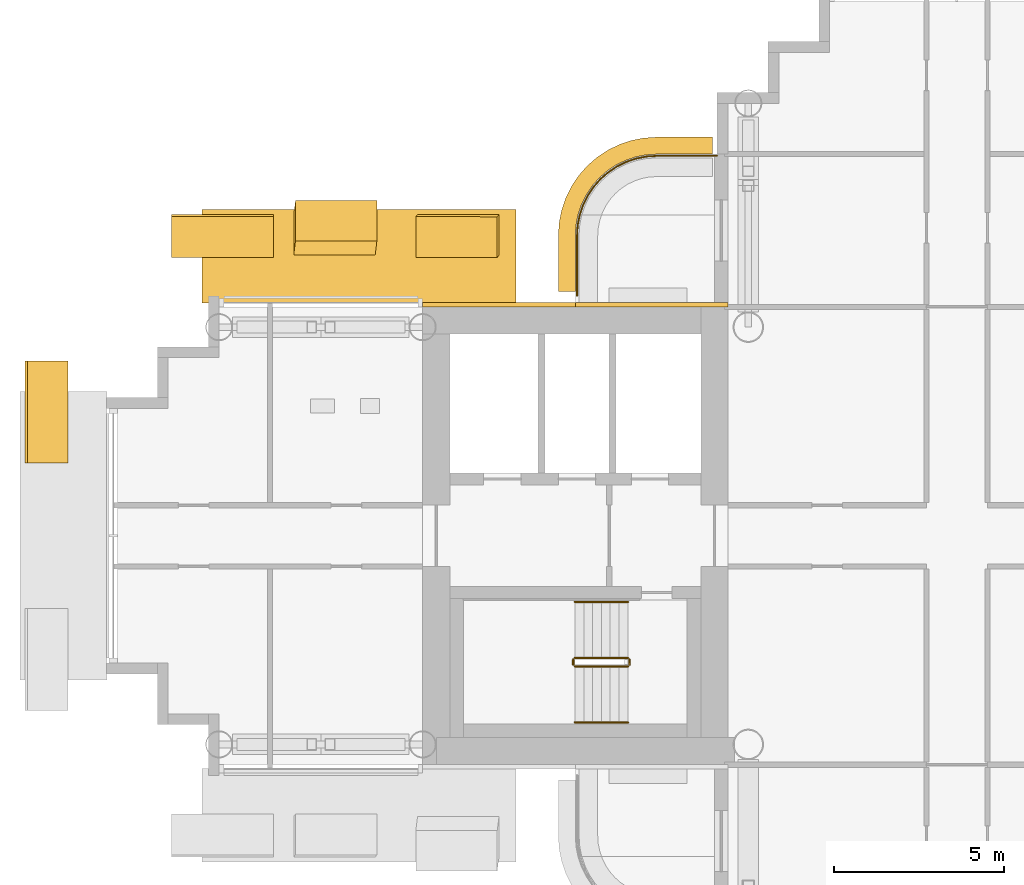
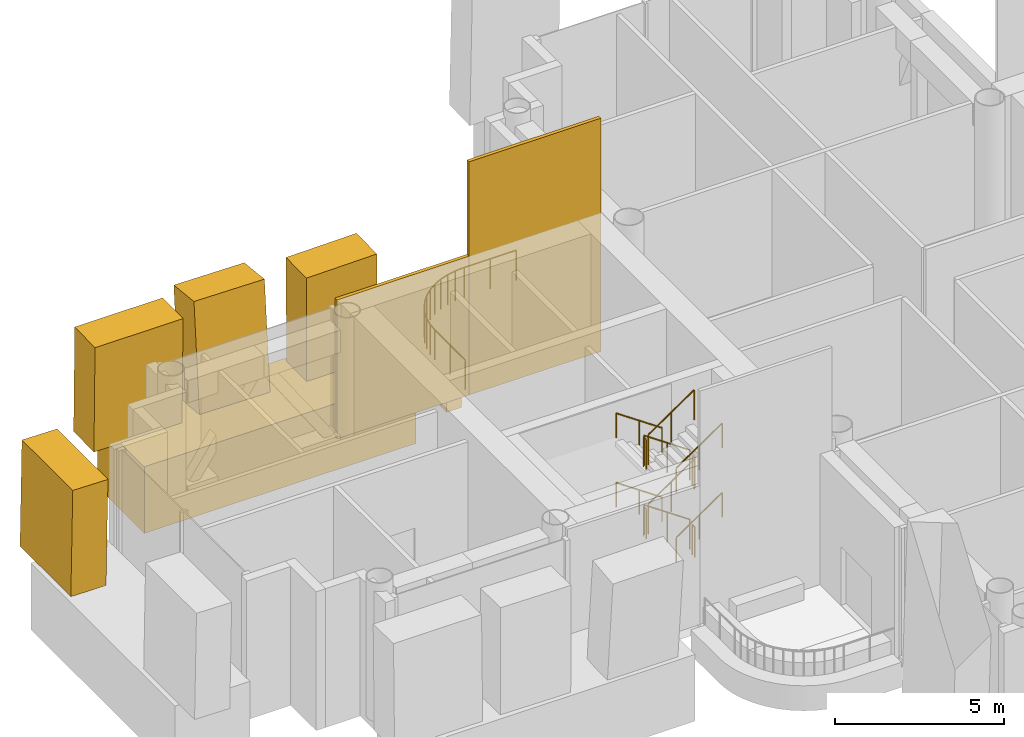
# One storey, part 27 of 34: 13 railings, 8 coverings.
"""IFC4 building model written with IfcOpenShell, lengths in metres."""

from ifc_helpers import new_model, si_unit, direction, frame, origin, origin_2d, place, context, subcontext, project, spatial, polyline, rectangle, circle, outline, extrude, material, layer, layer_set, material_profile, profile_set, type_object, element, save


model = new_model("IFC4")

# Units and contexts
model_context = context("Model", 3, precision=1e-05, world=origin(), true_north=direction((0.0, 1.0)))
body_context = subcontext(model_context, "Body", "Model", "MODEL_VIEW")
ifc_project = project(units=[si_unit("LENGTHUNIT", "METRE"), si_unit("AREAUNIT", "SQUARE_METRE"), si_unit("VOLUMEUNIT", "CUBIC_METRE"), si_unit("PLANEANGLEUNIT", "RADIAN"), si_unit("MASSUNIT", "GRAM", prefix="KILO")], contexts=[model_context])

# Site, building, storey
site_placement = place(None, origin())
site = spatial("IfcSite", under=ifc_project, at=site_placement, CompositionType="ELEMENT")
building_placement = place(site_placement, origin())
building = spatial("IfcBuilding", under=site, at=building_placement, Name="Ipe Terrace Towers", CompositionType="ELEMENT")
storey_placement = place(building_placement, frame((0.0, 0.0, 128.699951171875)))
storey = spatial("IfcBuildingStorey", under=building, at=storey_placement, Name="L35", CompositionType="ELEMENT", Elevation=128.699951171875)

# Railing
ifc_material_1 = material(Name="Stainless steel S316", Category="steel")
railing_type_1 = type_object("IfcRailingType", Name="GUARD 1100", PredefinedType="BALUSTRADE", material=ifc_material_1)
railing_1_placement = place(storey_placement, frame((-43.070068359375, 11.199951171875, -0.02001953125)))
element("IfcRailing", 1, at=railing_1_placement, inside=storey, type_object=railing_type_1, Name="guard", PredefinedType="BALUSTRADE", context=body_context, shape_type="SweptSolid", body=[
    extrude(circle(Radius=0.02392578125, at=origin_2d()), frame((0.0, 0.0, 1.076171875), z_axis=(-1.0, 0.0, 0.0), x_axis=(0.0, -1.0, 0.0)), (0.0, 0.0, 1.0), 1.77783203125),
    extrude(circle(Radius=0.02392578125, at=origin_2d()), frame((-1.77783203125, 0.0, 1.076171875), z_axis=(-0.99790894031, -0.064635492184, 0.0), x_axis=(0.064635492184, -0.99790894031, 0.0)), (0.0, 0.0, 1.0), 0.309814453125),
    extrude(circle(Radius=0.02392578125, at=origin_2d()), frame((-2.0869140625, -0.02001953125, 1.076171875), z_axis=(-0.980824674538, -0.194892169718, 0.0), x_axis=(0.194892169718, -0.980824674538, 0.0)), (0.0, 0.0, 1.0), 0.306884765625),
    extrude(circle(Radius=0.02392578125, at=origin_2d()), frame((-2.387939453125, -0.079833984375, 1.076171875), z_axis=(-0.946598348228, -0.322415209212, 0.0), x_axis=(0.322415209212, -0.946598348228, 0.0)), (0.0, 0.0, 1.0), 0.307373046875),
    extrude(circle(Radius=0.02392578125, at=origin_2d()), frame((-2.678955078125, -0.178955078125, 1.076171875), z_axis=(-0.896952807524, -0.44212629539, 0.0), x_axis=(0.44212629539, -0.896952807524, 0.0)), (0.0, 0.0, 1.0), 0.3076171875),
    extrude(circle(Radius=0.02392578125, at=origin_2d()), frame((-2.954833984375, -0.31494140625, 1.076171875), z_axis=(-0.831806228742, -0.555066120228, 0.0), x_axis=(0.555066120228, -0.831806228742, 0.0)), (0.0, 0.0, 1.0), 0.307861328125),
    extrude(circle(Radius=0.02392578125, at=origin_2d()), frame((-3.2109375, -0.48583984375, 1.076171875), z_axis=(-0.752478137252, -0.658617227954, 0.0), x_axis=(0.658617227954, -0.752478137252, 0.0)), (0.0, 0.0, 1.0), 0.306884765625),
    extrude(circle(Radius=0.02392578125, at=origin_2d()), frame((-3.44189453125, -0.68798828125, 1.076171875), z_axis=(-0.658617227954, -0.752478137252, 0.0), x_axis=(0.752478137252, -0.658617227954, 0.0)), (0.0, 0.0, 1.0), 0.306884765625),
    extrude(circle(Radius=0.02392578125, at=origin_2d()), frame((-3.64404296875, -0.9189453125, 1.076171875), z_axis=(-0.555066120228, -0.831806228742, 0.0), x_axis=(0.831806228742, -0.555066120228, 0.0)), (0.0, 0.0, 1.0), 0.307861328125),
    extrude(circle(Radius=0.02392578125, at=origin_2d()), frame((-3.81494140625, -1.175048828125, 1.076171875), z_axis=(-0.44212629539, -0.896952807524, 0.0), x_axis=(0.896952807524, -0.44212629539, 0.0)), (0.0, 0.0, 1.0), 0.3076171875),
    extrude(circle(Radius=0.02392578125, at=origin_2d()), frame((-3.950927734375, -1.450927734375, 1.076171875), z_axis=(-0.322415209212, -0.946598348228, 0.0), x_axis=(0.946598348228, -0.322415209212, 0.0)), (0.0, 0.0, 1.0), 0.307373046875),
    extrude(circle(Radius=0.02392578125, at=origin_2d()), frame((-4.050048828125, -1.741943359375, 1.076171875), z_axis=(-0.194892169718, -0.980824674538, 0.0), x_axis=(0.980824674538, -0.194892169718, 0.0)), (0.0, 0.0, 1.0), 0.306884765625),
    extrude(circle(Radius=0.02392578125, at=origin_2d()), frame((-4.10986328125, -2.04296875, 1.076171875), z_axis=(-0.064635492184, -0.99790894031, 0.0), x_axis=(0.99790894031, -0.064635492184, 0.0)), (0.0, 0.0, 1.0), 0.309814453125),
    extrude(circle(Radius=0.02392578125, at=origin_2d()), frame((-4.1298828125, -2.35205078125, 1.076171875), z_axis=(0.0, -1.0, 0.0), x_axis=(1.0, 0.0, 0.0)), (0.0, 0.0, 1.0), 1.77783203125),
    extrude(circle(Radius=0.02099609375, at=origin_2d()), origin(), (0.0, 0.0, 1.0), 1.052001953125),
    extrude(circle(Radius=0.02099609375, at=origin_2d()), frame((-0.888916015625, 0.0, 0.0)), (0.0, 0.0, 1.0), 1.052001953125),
    extrude(circle(Radius=0.02099609375, at=origin_2d()), frame((-1.77783203125, 0.0, 0.0)), (0.0, 0.0, 1.0), 1.052001953125),
    extrude(circle(Radius=0.02099609375, at=origin_2d()), frame((-2.0869140625, -0.02001953125, 0.0)), (0.0, 0.0, 1.0), 1.052001953125),
    extrude(circle(Radius=0.02099609375, at=origin_2d()), frame((-2.387939453125, -0.079833984375, 0.0)), (0.0, 0.0, 1.0), 1.052001953125),
    extrude(circle(Radius=0.02099609375, at=origin_2d()), frame((-2.678955078125, -0.178955078125, 0.0)), (0.0, 0.0, 1.0), 1.052001953125),
    extrude(circle(Radius=0.02099609375, at=origin_2d()), frame((-2.954833984375, -0.31494140625, 0.0)), (0.0, 0.0, 1.0), 1.052001953125),
    extrude(circle(Radius=0.02099609375, at=origin_2d()), frame((-3.2109375, -0.48583984375, 0.0)), (0.0, 0.0, 1.0), 1.052001953125),
    extrude(circle(Radius=0.02099609375, at=origin_2d()), frame((-3.44189453125, -0.68798828125, 0.0)), (0.0, 0.0, 1.0), 1.052001953125),
    extrude(circle(Radius=0.02099609375, at=origin_2d()), frame((-3.64404296875, -0.9189453125, 0.0)), (0.0, 0.0, 1.0), 1.052001953125),
    extrude(circle(Radius=0.02099609375, at=origin_2d()), frame((-3.81494140625, -1.175048828125, 0.0)), (0.0, 0.0, 1.0), 1.052001953125),
    extrude(circle(Radius=0.02099609375, at=origin_2d()), frame((-3.950927734375, -1.450927734375, 0.0)), (0.0, 0.0, 1.0), 1.052001953125),
    extrude(circle(Radius=0.02099609375, at=origin_2d()), frame((-4.050048828125, -1.741943359375, 0.0)), (0.0, 0.0, 1.0), 1.052001953125),
    extrude(circle(Radius=0.02099609375, at=origin_2d()), frame((-4.10986328125, -2.04296875, 0.0)), (0.0, 0.0, 1.0), 1.052001953125),
    extrude(circle(Radius=0.02099609375, at=origin_2d()), frame((-4.1298828125, -2.35205078125, 0.0)), (0.0, 0.0, 1.0), 1.052001953125),
    extrude(circle(Radius=0.02099609375, at=origin_2d()), frame((-4.1298828125, -3.240966796875, 0.0)), (0.0, 0.0, 1.0), 1.052001953125),
    extrude(circle(Radius=0.02099609375, at=origin_2d()), frame((-4.1298828125, -4.1298828125, 0.0)), (0.0, 0.0, 1.0), 1.052001953125),
])

# Coverings
ifc_material_2 = material(Name="Concrete C50/60 precast, buff finish", Category="concrete")
ifc_layer_1 = layer(ifc_material_2, 0.1201171875)
ifc_layer_set_1 = layer_set([ifc_layer_1], Name="STONE CORE CLADDING 120")
covering_type_1 = type_object("IfcCoveringType", Name="STONE CORE CLADDING 120", PredefinedType="CLADDING", material=ifc_layer_set_1)
covering_1_placement = place(storey_placement, frame((-49.5009765625, 6.81005859375, 0.0), z_axis=(0.0, 0.0, 1.0), x_axis=(-1.0, 0.0, 0.0)))
element("IfcCovering", 2, at=covering_1_placement, inside=storey, type_object=covering_type_1, Name="stone core cladding", PredefinedType="CLADDING", context=body_context, shape_type="SweptSolid", body=[
    extrude(rectangle(XDim=4.5009765625, YDim=0.1201171875, at=origin_2d()), origin(), (0.0, 0.0, 1.0), 5.0),
])
covering_2_placement = place(storey_placement, frame((-45.0, 6.81005859375, 0.0), z_axis=(0.0, 0.0, 1.0), x_axis=(-1.0, 0.0, 0.0)))
element("IfcCovering", 3, at=covering_2_placement, inside=storey, type_object=covering_type_1, Name="stone core cladding", PredefinedType="CLADDING", context=body_context, shape_type="SweptSolid", body=[
    extrude(rectangle(XDim=4.5, YDim=0.1201171875, at=origin_2d()), origin(), (0.0, 0.0, 1.0), 8.39990234375),
])
ifc_material_3 = material(Name="Concrete C50/60 precast, buff finish", Category="concrete")
ifc_layer_2 = layer(ifc_material_3, 0.5)
ifc_layer_set_2 = layer_set([ifc_layer_2], Name="STONE EDGE BAND 500 x 900")
covering_type_2 = type_object("IfcCoveringType", Name="STONE EDGE BAND 500 x 900", PredefinedType="CLADDING", material=ifc_layer_set_2)
covering_3_placement = place(storey_placement, frame((0.0, 0.0, -0.719970703125)))
element("IfcCovering", 4, at=covering_3_placement, inside=storey, type_object=covering_type_2, Name="stone edge band", PredefinedType="CLADDING", context=body_context, shape_type="SweptSolid", body=[
    extrude(outline(polyline([(-44.85009765625, 11.75), (-44.883056640625, 11.7490234375), (-45.196044921875, 11.72802734375), (-45.260986328125, 11.719970703125), (-45.569091796875, 11.658935546875), (-45.632080078125, 11.64208984375), (-45.928955078125, 11.541015625), (-45.989990234375, 11.51611328125), (-46.27099609375, 11.376953125), (-46.327880859375, 11.343994140625), (-46.589111328125, 11.169921875), (-46.64111328125, 11.1298828125), (-46.876953125, 10.923095703125), (-46.923095703125, 10.876953125), (-47.1298828125, 10.64111328125), (-47.169921875, 10.589111328125), (-47.343994140625, 10.327880859375), (-47.376953125, 10.27099609375), (-47.51611328125, 9.989990234375), (-47.541015625, 9.928955078125), (-47.64208984375, 9.632080078125), (-47.658935546875, 9.569091796875), (-47.719970703125, 9.260986328125), (-47.72802734375, 9.196044921875), (-47.7490234375, 8.883056640625), (-47.75, 8.85009765625), (-47.75, 7.199951171875), (-47.25, 7.199951171875), (-47.25, 8.85009765625), (-47.22900390625, 9.1630859375), (-47.16796875, 9.470947265625), (-47.06689453125, 9.76806640625), (-46.927978515625, 10.050048828125), (-46.75390625, 10.31103515625), (-46.547119140625, 10.547119140625), (-46.31103515625, 10.75390625), (-46.050048828125, 10.927978515625), (-45.76806640625, 11.06689453125), (-45.470947265625, 11.16796875), (-45.1630859375, 11.22900390625), (-44.85009765625, 11.25), (-43.199951171875, 11.25), (-43.199951171875, 11.75), (-44.85009765625, 11.75)])), origin(), (0.0, 0.0, 1.0), 0.89990234375),
])
ifc_material_4 = material(Name="Concrete C50/60 precast, buff finish", Category="concrete")
ifc_material_profile_1 = material_profile(ifc_material_4, rectangle(XDim=2.39990234375, YDim=1.199951171875, at=origin_2d()), Name="STONE FIN 2400 x 1200")
ifc_profile_set_1 = profile_set([ifc_material_profile_1], Name="Concrete C50/60 precast, buff finish")
covering_type_3 = type_object("IfcCoveringType", Name="STONE FIN 2400 x 1200", PredefinedType="USERDEFINED", material=ifc_profile_set_1)
covering_4_placement = place(storey_placement, frame((-50.699951171875, 8.8701171875, 1.199951171875), z_axis=(-0.013424376915, -0.017149802087, 0.999762807066), x_axis=(-0.999909888992, 0.000230246158, -0.013422402253)))
element("IfcCovering", 5, at=covering_4_placement, inside=storey, type_object=covering_type_3, Name="stone fin", ObjectType="FIN", PredefinedType="USERDEFINED", context=body_context, shape_type="SweptSolid", body=[
    extrude(rectangle(XDim=2.39990234375, YDim=1.199951171875, at=origin_2d()), origin(), (0.0, 0.0, 1.0), 3.801025390625),
])
covering_5_placement = place(storey_placement, frame((-54.35009765625, 8.8701171875, 1.199951171875), z_axis=(0.013346716602, 0.108753389345, 0.993979157459), x_axis=(-0.999910928611, 0.001451629969, 0.013267539881)))
element("IfcCovering", 6, at=covering_5_placement, inside=storey, type_object=covering_type_3, Name="stone fin", ObjectType="FIN", PredefinedType="USERDEFINED", context=body_context, shape_type="SweptSolid", body=[
    extrude(rectangle(XDim=2.39990234375, YDim=1.199951171875, at=origin_2d()), origin(), (0.0, 0.0, 1.0), 3.822998046875),
])
ifc_material_5 = material(Name="Concrete C50/60 precast, buff finish", Category="concrete")
ifc_material_profile_2 = material_profile(ifc_material_5, rectangle(XDim=3.0, YDim=1.199951171875, at=origin_2d()), Name="STONE FIN CORNER 3000 x 1200")
ifc_profile_set_2 = profile_set([ifc_material_profile_2], Name="Concrete C50/60 precast, buff finish")
covering_type_4 = type_object("IfcCoveringType", Name="STONE FIN CORNER 3000 x 1200", PredefinedType="USERDEFINED", material=ifc_profile_set_2)
for number, where, z_axis, x_axis, name in (
    (7, (-57.64990234375, 8.8701171875, 1.199951171875), (0.0, -0.017151347612, 0.999852904819), (-1.0, 0.0, 0.0), "stone fin"),
    (8, (-62.8701171875, 3.64990234375, 1.199951171875), (0.017151347612, 0.0, 0.999852904819), (0.0, -1.0, 0.0), "stone fin"),
):
    element("IfcCovering", number, at=place(storey_placement, frame(where, z_axis=z_axis, x_axis=x_axis)), inside=storey, type_object=covering_type_4, Name=name, ObjectType="FIN", PredefinedType="USERDEFINED", context=body_context, shape_type="SweptSolid", body=[
        extrude(rectangle(XDim=3.0, YDim=1.199951171875, at=origin_2d()), origin(), (0.0, 0.0, 1.0), 3.800537109375),
    ])
ifc_material_6 = material(Name="Concrete C50/60 precast, buff finish", Category="concrete")
ifc_material_profile_3 = material_profile(ifc_material_6, rectangle(XDim=2.760009765625, YDim=2.39990234375, at=origin_2d()), Name="STONE FIN SPANDREL 2760 x 2400")
ifc_profile_set_3 = profile_set([ifc_material_profile_3], Name="Concrete C50/60 precast, buff finish")
covering_type_5 = type_object("IfcCoveringType", Name="STONE FIN SPANDREL 2760 x 2400", PredefinedType="CLADDING", material=ifc_profile_set_3)
covering_6_placement = place(storey_placement, frame((-49.0, 8.239990234375, 0.0), z_axis=(-1.0, 0.0, 0.0), x_axis=(0.0, 1.0, 0.0)))
element("IfcCovering", 9, at=covering_6_placement, inside=storey, type_object=covering_type_5, Name="stone fin spandrel", PredefinedType="CLADDING", context=body_context, shape_type="SweptSolid", body=[
    extrude(rectangle(XDim=2.760009765625, YDim=2.39990234375, at=origin_2d()), origin(), (0.0, 0.0, 1.0), 9.25),
])

# Railings
ifc_material_7 = material(Name="Steel S355", Category="steel")
railing_type_2 = type_object("IfcRailingType", Name="Stair guard 1100", PredefinedType="GUARDRAIL", material=ifc_material_7)
railing_2_placement = place(storey_placement, frame((-45.699951171875, -3.60009765625, 0.1787109375)))
element("IfcRailing", 10, at=railing_2_placement, inside=storey, type_object=railing_type_2, Name="L35 T1-ST2 stair guard 1", PredefinedType="GUARDRAIL", context=body_context, shape_type="SweptSolid", body=[
    extrude(circle(Radius=0.02392578125, at=origin_2d()), frame((0.0, 0.0, 1.076171875), z_axis=(-0.824350458958, 0.0, 0.566079783084), x_axis=(0.0, -1.0, 0.0)), (0.0, 0.0, 1.0), 1.892578125),
    extrude(circle(Radius=0.02099609375, at=origin_2d()), origin(), (0.0, 0.0, 1.0), 1.052001953125),
    extrude(circle(Radius=0.02099609375, at=origin_2d()), frame((-0.780029296875, 0.0, 0.53564453125)), (0.0, 0.0, 1.0), 1.052001953125),
    extrude(circle(Radius=0.02099609375, at=origin_2d()), frame((-1.56005859375, 0.0, 1.0712890625)), (0.0, 0.0, 1.0), 1.052001953125),
])
railing_3_placement = place(storey_placement, frame((-47.31005859375, -3.64990234375, 1.25)))
element("IfcRailing", 11, at=railing_3_placement, inside=storey, type_object=railing_type_2, Name="L35 T1-ST2 stair guard 2", PredefinedType="GUARDRAIL", context=body_context, shape_type="SweptSolid", body=[
    extrude(circle(Radius=0.02392578125, at=origin_2d()), frame((0.0, 0.0, 1.076171875), z_axis=(0.0, -1.0, 0.0), x_axis=(1.0, 0.0, 0.0)), (0.0, 0.0, 1.0), 0.150146484375),
    extrude(circle(Radius=0.02099609375, at=origin_2d()), origin(), (0.0, 0.0, 1.0), 1.052001953125),
    extrude(circle(Radius=0.02099609375, at=origin_2d()), frame((0.0, -0.150146484375, 0.0)), (0.0, 0.0, 1.0), 1.052001953125),
])
railing_4_placement = place(storey_placement, frame((-47.260009765625, -3.85009765625, 1.4287109375)))
element("IfcRailing", 12, at=railing_4_placement, inside=storey, type_object=railing_type_2, Name="L35 T1-ST2 stair guard 3", PredefinedType="GUARDRAIL", context=body_context, shape_type="SweptSolid", body=[
    extrude(circle(Radius=0.02392578125, at=origin_2d()), frame((0.0, 0.0, 1.076171875), z_axis=(0.824350458958, 0.0, 0.566079783084), x_axis=(0.0, 1.0, 0.0)), (0.0, 0.0, 1.0), 1.892578125),
    extrude(circle(Radius=0.02099609375, at=origin_2d()), origin(), (0.0, 0.0, 1.0), 1.052001953125),
    extrude(circle(Radius=0.02099609375, at=origin_2d()), frame((0.780029296875, 0.0, 0.53564453125)), (0.0, 0.0, 1.0), 1.052001953125),
    extrude(circle(Radius=0.02099609375, at=origin_2d()), frame((1.56005859375, 0.0, 1.0712890625)), (0.0, 0.0, 1.0), 1.052001953125),
])
railing_5_placement = place(storey_placement, frame((-45.64990234375, -3.64990234375, 2.5)))
element("IfcRailing", 13, at=railing_5_placement, inside=storey, type_object=railing_type_2, Name="L35 T1-ST2 stair guard 4", PredefinedType="GUARDRAIL", context=body_context, shape_type="SweptSolid", body=[
    extrude(circle(Radius=0.02392578125, at=origin_2d()), frame((0.0, 0.0, 1.076171875), z_axis=(0.0, -1.0, 0.0), x_axis=(1.0, 0.0, 0.0)), (0.0, 0.0, 1.0), 0.150146484375),
    extrude(circle(Radius=0.02099609375, at=origin_2d()), origin(), (0.0, 0.0, 1.0), 1.052001953125),
    extrude(circle(Radius=0.02099609375, at=origin_2d()), frame((0.0, -0.150146484375, 0.0)), (0.0, 0.0, 1.0), 1.052001953125),
])
railing_6_placement = place(storey_placement, frame((-45.699951171875, -3.60009765625, 2.6787109375)))
element("IfcRailing", 14, at=railing_6_placement, inside=storey, type_object=railing_type_2, Name="L35 T1-ST2 stair guard 5", PredefinedType="GUARDRAIL", context=body_context, shape_type="SweptSolid", body=[
    extrude(circle(Radius=0.02392578125, at=origin_2d()), frame((0.0, 0.0, 1.076171875), z_axis=(-0.824350458958, 0.0, 0.566079783084), x_axis=(0.0, -1.0, 0.0)), (0.0, 0.0, 1.0), 1.892578125),
    extrude(circle(Radius=0.02099609375, at=origin_2d()), origin(), (0.0, 0.0, 1.0), 1.052001953125),
    extrude(circle(Radius=0.02099609375, at=origin_2d()), frame((-0.780029296875, 0.0, 0.53564453125)), (0.0, 0.0, 1.0), 1.052001953125),
    extrude(circle(Radius=0.02099609375, at=origin_2d()), frame((-1.56005859375, 0.0, 1.0712890625)), (0.0, 0.0, 1.0), 1.052001953125),
])
railing_7_placement = place(storey_placement, frame((-47.31005859375, -3.64990234375, 3.75)))
element("IfcRailing", 15, at=railing_7_placement, inside=storey, type_object=railing_type_2, Name="L35 T1-ST2 stair guard 6", PredefinedType="GUARDRAIL", context=body_context, shape_type="SweptSolid", body=[
    extrude(circle(Radius=0.02392578125, at=origin_2d()), frame((0.0, 0.0, 1.076171875), z_axis=(0.0, -1.0, 0.0), x_axis=(1.0, 0.0, 0.0)), (0.0, 0.0, 1.0), 0.150146484375),
    extrude(circle(Radius=0.02099609375, at=origin_2d()), origin(), (0.0, 0.0, 1.0), 1.052001953125),
    extrude(circle(Radius=0.02099609375, at=origin_2d()), frame((0.0, -0.150146484375, 0.0)), (0.0, 0.0, 1.0), 1.052001953125),
])
railing_8_placement = place(storey_placement, frame((-47.260009765625, -3.85009765625, 3.9287109375)))
element("IfcRailing", 16, at=railing_8_placement, inside=storey, type_object=railing_type_2, Name="L35 T1-ST2 stair guard 7", PredefinedType="GUARDRAIL", context=body_context, shape_type="SweptSolid", body=[
    extrude(circle(Radius=0.02392578125, at=origin_2d()), frame((0.0, 0.0, 1.076171875), z_axis=(0.824350458958, 0.0, 0.566079783084), x_axis=(0.0, 1.0, 0.0)), (0.0, 0.0, 1.0), 1.892578125),
    extrude(circle(Radius=0.02099609375, at=origin_2d()), origin(), (0.0, 0.0, 1.0), 1.052001953125),
    extrude(circle(Radius=0.02099609375, at=origin_2d()), frame((0.780029296875, 0.0, 0.53564453125)), (0.0, 0.0, 1.0), 1.052001953125),
    extrude(circle(Radius=0.02099609375, at=origin_2d()), frame((1.56005859375, 0.0, 1.0712890625)), (0.0, 0.0, 1.0), 1.052001953125),
])
railing_9_placement = place(storey_placement, frame((-45.64990234375, -3.64990234375, 0.0)))
element("IfcRailing", 17, at=railing_9_placement, inside=storey, type_object=railing_type_2, Name="L35 T1-ST2 stair guard 8", PredefinedType="GUARDRAIL", context=body_context, shape_type="SweptSolid", body=[
    extrude(circle(Radius=0.02392578125, at=origin_2d()), frame((0.0, 0.0, 1.076171875), z_axis=(0.0, -1.0, 0.0), x_axis=(1.0, 0.0, 0.0)), (0.0, 0.0, 1.0), 0.150146484375),
    extrude(circle(Radius=0.02099609375, at=origin_2d()), origin(), (0.0, 0.0, 1.0), 1.052001953125),
    extrude(circle(Radius=0.02099609375, at=origin_2d()), frame((0.0, -0.150146484375, 0.0)), (0.0, 0.0, 1.0), 1.052001953125),
])
ifc_material_8 = material(Name="Stainless steel grade 304", Category="steel")
railing_type_3 = type_object("IfcRailingType", Name="Stair handrail 900", PredefinedType="HANDRAIL", material=ifc_material_8)
railing_10_placement = place(storey_placement, frame((-45.699951171875, -1.949951171875, 0.1787109375)))
element("IfcRailing", 18, at=railing_10_placement, inside=storey, type_object=railing_type_3, Name="L35 T1-ST2 stair handrail 1", PredefinedType="HANDRAIL", context=body_context, shape_type="SweptSolid", body=[
    extrude(circle(Radius=0.02392578125, at=origin_2d()), frame((0.0, 0.0, 0.8759765625), z_axis=(-0.824350458958, 0.0, 0.566079783084), x_axis=(0.0, -1.0, 0.0)), (0.0, 0.0, 1.0), 1.892578125),
    extrude(circle(Radius=0.02099609375, at=origin_2d()), origin(), (0.0, 0.0, 1.0), 0.851806640625),
    extrude(circle(Radius=0.02099609375, at=origin_2d()), frame((-0.780029296875, 0.0, 0.53564453125)), (0.0, 0.0, 1.0), 0.851806640625),
    extrude(circle(Radius=0.02099609375, at=origin_2d()), frame((-1.56005859375, 0.0, 1.0712890625)), (0.0, 0.0, 1.0), 0.851806640625),
])
railing_11_placement = place(storey_placement, frame((-47.260009765625, -5.5, 1.4287109375)))
element("IfcRailing", 19, at=railing_11_placement, inside=storey, type_object=railing_type_3, Name="L35 T1-ST2 stair handrail 2", PredefinedType="HANDRAIL", context=body_context, shape_type="SweptSolid", body=[
    extrude(circle(Radius=0.02392578125, at=origin_2d()), frame((0.0, 0.0, 0.8759765625), z_axis=(0.824350458958, 0.0, 0.566079783084), x_axis=(0.0, 1.0, 0.0)), (0.0, 0.0, 1.0), 1.892578125),
    extrude(circle(Radius=0.02099609375, at=origin_2d()), origin(), (0.0, 0.0, 1.0), 0.851806640625),
    extrude(circle(Radius=0.02099609375, at=origin_2d()), frame((0.780029296875, 0.0, 0.53564453125)), (0.0, 0.0, 1.0), 0.851806640625),
    extrude(circle(Radius=0.02099609375, at=origin_2d()), frame((1.56005859375, 0.0, 1.0712890625)), (0.0, 0.0, 1.0), 0.851806640625),
])
railing_12_placement = place(storey_placement, frame((-45.699951171875, -1.949951171875, 2.6787109375)))
element("IfcRailing", 20, at=railing_12_placement, inside=storey, type_object=railing_type_3, Name="L35 T1-ST2 stair handrail 3", PredefinedType="HANDRAIL", context=body_context, shape_type="SweptSolid", body=[
    extrude(circle(Radius=0.02392578125, at=origin_2d()), frame((0.0, 0.0, 0.8759765625), z_axis=(-0.824350458958, 0.0, 0.566079783084), x_axis=(0.0, -1.0, 0.0)), (0.0, 0.0, 1.0), 1.892578125),
    extrude(circle(Radius=0.02099609375, at=origin_2d()), origin(), (0.0, 0.0, 1.0), 0.851806640625),
    extrude(circle(Radius=0.02099609375, at=origin_2d()), frame((-0.780029296875, 0.0, 0.53564453125)), (0.0, 0.0, 1.0), 0.851806640625),
    extrude(circle(Radius=0.02099609375, at=origin_2d()), frame((-1.56005859375, 0.0, 1.0712890625)), (0.0, 0.0, 1.0), 0.851806640625),
])
railing_13_placement = place(storey_placement, frame((-47.260009765625, -5.5, 3.9287109375)))
element("IfcRailing", 21, at=railing_13_placement, inside=storey, type_object=railing_type_3, Name="L35 T1-ST2 stair handrail 4", PredefinedType="HANDRAIL", context=body_context, shape_type="SweptSolid", body=[
    extrude(circle(Radius=0.02392578125, at=origin_2d()), frame((0.0, 0.0, 0.8759765625), z_axis=(0.824350458958, 0.0, 0.566079783084), x_axis=(0.0, 1.0, 0.0)), (0.0, 0.0, 1.0), 1.892578125),
    extrude(circle(Radius=0.02099609375, at=origin_2d()), origin(), (0.0, 0.0, 1.0), 0.851806640625),
    extrude(circle(Radius=0.02099609375, at=origin_2d()), frame((0.780029296875, 0.0, 0.53564453125)), (0.0, 0.0, 1.0), 0.851806640625),
    extrude(circle(Radius=0.02099609375, at=origin_2d()), frame((1.56005859375, 0.0, 1.0712890625)), (0.0, 0.0, 1.0), 0.851806640625),
])

save(model, "model.ifc")
